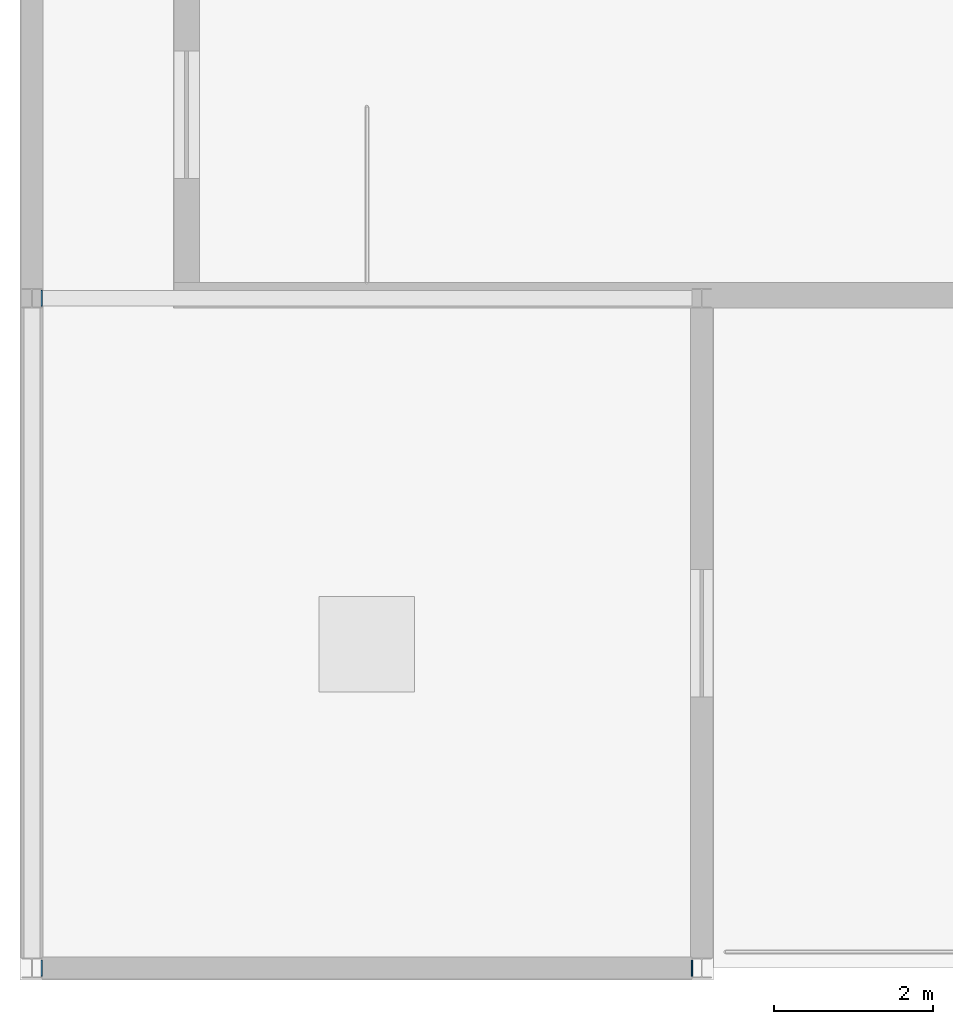
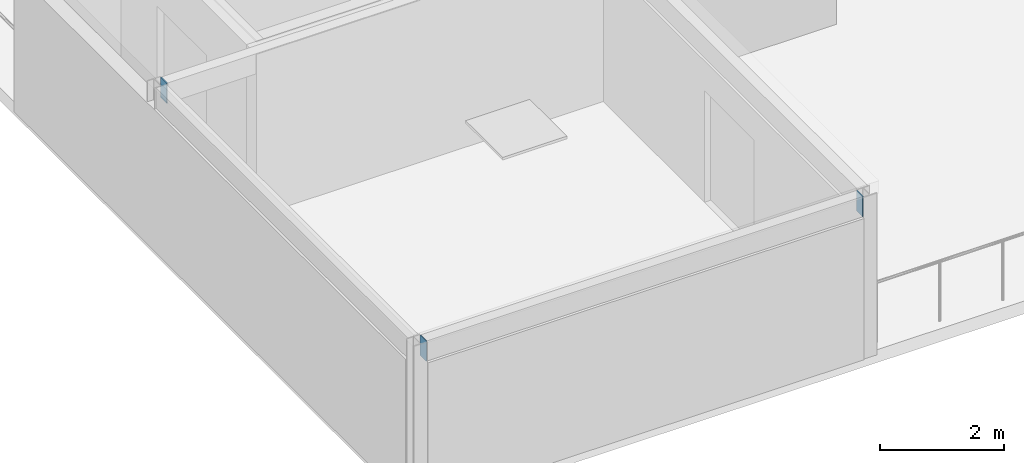
# One storey, part 25 of 40: 3 discrete accessories.
"""IFC4 building model written with IfcOpenShell, lengths in metres."""

import ifcopenshell
import ifcopenshell.guid

model = None  # the IFC model being written
_history = None  # IfcOwnerHistory: only IFC2X3 demands one
_inside = {}  # id of a spatial element -> (the spatial element, [elements in it])
_under = {}  # id of a project, library or spatial element -> (it, [spatial elements below it])
_declared = {}  # id of a project -> (the project, [libraries it declares])
_typed = {}  # id of a type object -> (the type object, [elements of that type])
_made_of = {}  # id of a material, layer set ... -> (it, [elements and type objects made of it])


def new_model(schema):
    """Start an empty IFC model of exactly this schema.

    Asked for "IFC4X3", IfcOpenShell would pick the latest addendum, in which some entities
    have other attributes; the version numbers below select the first issue.
    IFC2X3 requires an IfcOwnerHistory on every rooted entity: one is made here for all.
    """
    global model, _history
    if schema == "IFC4X3":
        model = ifcopenshell.file(schema_version=(4, 3, 0, 0))
    else:
        model = ifcopenshell.file(schema=schema)
    _inside.clear()
    _under.clear()
    _declared.clear()
    _typed.clear()
    _made_of.clear()
    _history = None
    if model.schema == "IFC2X3":
        org = make("IfcOrganization", Name="unknown")
        user = make(
            "IfcPersonAndOrganization",
            ThePerson=make("IfcPerson", FamilyName="unknown"),
            TheOrganization=org,
        )
        app = make(
            "IfcApplication",
            ApplicationDeveloper=org,
            Version="unknown",
            ApplicationFullName="unknown",
            ApplicationIdentifier="unknown",
        )
        _history = make(
            "IfcOwnerHistory",
            OwningUser=user,
            OwningApplication=app,
            ChangeAction="ADDED",
            CreationDate=0,
        )
    return model


def make(cls, **values):
    """One entity of the class cls with the attributes given. An attribute that is None is left unset."""
    return model.create_entity(
        cls, **{name: value for name, value in values.items() if value is not None}
    )


def rooted(cls, **values):
    """An entity with a GlobalId (a new one), such as an element, a storey or a relation."""
    return make(cls, GlobalId=ifcopenshell.guid.new(), OwnerHistory=_history, **values)


def si_unit(unit_type, name, prefix=None):
    """IfcSIUnit, for example si_unit("LENGTHUNIT", "METRE", prefix="MILLI")."""
    return make("IfcSIUnit", UnitType=unit_type, Prefix=prefix, Name=name)


def assignment(units):
    """IfcUnitAssignment: the units of a project."""
    return None if units is None else make("IfcUnitAssignment", Units=units)


def point(xyz):
    """IfcCartesianPoint."""
    return None if xyz is None else make("IfcCartesianPoint", Coordinates=xyz)


def direction(xyz):
    """IfcDirection."""
    return None if xyz is None else make("IfcDirection", DirectionRatios=xyz)


def frame(location, z_axis=None, x_axis=None):
    """IfcAxis2Placement3D, a coordinate frame: its origin and axes. An axis left out is left unset."""
    return make(
        "IfcAxis2Placement3D",
        Location=point(location),
        Axis=direction(z_axis),
        RefDirection=direction(x_axis),
    )


def frame_2d(location, x_axis=None):
    """IfcAxis2Placement2D, a coordinate frame in the plane: its origin and x axis."""
    return make(
        "IfcAxis2Placement2D", Location=point(location), RefDirection=direction(x_axis)
    )


def origin():
    """The frame at (0, 0, 0) with its axes left unset."""
    return frame((0.0, 0.0, 0.0))


def origin_2d():
    """The frame at (0, 0) in the plane with its x axis left unset."""
    return frame_2d((0.0, 0.0))


def place(relative_to, where):
    """IfcLocalPlacement: puts the frame where relative to a parent placement (None: the world)."""
    return make(
        "IfcLocalPlacement", PlacementRelTo=relative_to, RelativePlacement=where
    )


def context(
    kind, dimensions, precision=None, world=None, true_north=None, identifier=None
):
    """IfcGeometricRepresentationContext, for example the 3D "Model" context."""
    return make(
        "IfcGeometricRepresentationContext",
        ContextIdentifier=identifier,
        ContextType=kind,
        CoordinateSpaceDimension=dimensions,
        Precision=precision,
        WorldCoordinateSystem=world,
        TrueNorth=true_north,
    )


def subcontext(parent, identifier, kind, view, scale=None):
    """IfcGeometricRepresentationSubContext, for example "Body" below "Model"."""
    return make(
        "IfcGeometricRepresentationSubContext",
        ContextIdentifier=identifier,
        ContextType=kind,
        ParentContext=parent,
        TargetScale=scale,
        TargetView=view,
    )


def project(units=None, contexts=None):
    """IfcProject with its units and contexts."""
    return rooted(
        "IfcProject",
        Name="project",
        RepresentationContexts=contexts,
        UnitsInContext=assignment(units),
    )


def spatial(cls, under=None, at=None, **own):
    """A site, building, storey or space (cls), placed at a placement, below another one or the project."""
    s = rooted(cls, ObjectPlacement=at, **own)
    if under is not None:
        _under.setdefault(under.id(), (under, []))[1].append(s)
    return s


def profile(cls, at=None, kind="AREA", **sizes):
    """A parametric profile (cls). Its sizes go by their IFC names, for example OverallWidth=200.0."""
    return make(cls, ProfileType=kind, Position=at, **sizes)


def rectangle(**sizes):
    """IfcRectangleProfileDef."""
    return profile("IfcRectangleProfileDef", **sizes)


def extrude(swept, where, along, depth):
    """IfcExtrudedAreaSolid: the profile swept, set in the frame where, extruded along a direction by depth."""
    return make(
        "IfcExtrudedAreaSolid",
        SweptArea=swept,
        Position=where,
        ExtrudedDirection=direction(along),
        Depth=depth,
    )


def shape(context_of_items, identifier, shape_type, items):
    """IfcShapeRepresentation: the items that make up one representation, for example the "Body"."""
    return make(
        "IfcShapeRepresentation",
        ContextOfItems=context_of_items,
        RepresentationIdentifier=identifier,
        RepresentationType=shape_type,
        Items=items,
    )


def material(Name=None, Category=None):
    """IfcMaterial."""
    return make("IfcMaterial", Name=Name, Category=Category)


def made_of(thing, what):
    """Note that an element or type object is made of a material, layer set ...; save() writes the relation."""
    if what is not None:
        _made_of.setdefault(what.id(), (what, []))[1].append(thing)
    return thing


def type_object(cls, material=None, **own):
    """A type object (cls), such as IfcWallType, which elements share."""
    return made_of(rooted(cls, **own), material)


def element(
    cls,
    number,
    at=None,
    inside=None,
    cuts=None,
    type_object=None,
    material=None,
    context=None,
    identifier="Body",
    shape_type=None,
    held_by="IfcProductDefinitionShape",
    body=None,
    shapes=None,
    **own,
):
    """One element of the class cls, such as IfcWall. Its Tag is "e" and its number.

    at: its placement. inside: the storey or other place that contains it. cuts: it is an
    opening in that element (IfcRelVoidsElement). A single representation is given by context,
    identifier, shape_type and body (its items); several are given by shapes. held_by: the class
    of the entity that holds the representations. save() writes the other relations.
    """
    e = rooted(cls, Tag="e%d" % number, ObjectPlacement=at, **own)
    if body is not None:
        shapes = [shape(context, identifier, shape_type, body)]
    if shapes is not None:
        e.Representation = make(held_by, Representations=shapes)
    if inside is not None:
        _inside.setdefault(inside.id(), (inside, []))[1].append(e)
    if cuts is not None:
        rooted(
            "IfcRelVoidsElement", RelatingBuildingElement=cuts, RelatedOpeningElement=e
        )
    if type_object is not None:
        _typed.setdefault(type_object.id(), (type_object, []))[1].append(e)
    return made_of(e, material)


def aggregate(whole, parts):
    """IfcRelAggregates: a whole, such as a stair, and the parts it consists of."""
    return rooted("IfcRelAggregates", RelatingObject=whole, RelatedObjects=parts)


def save(model, path):
    """Write the relations noted so far, then the file.

    IfcRelAggregates (storeys below a building ...), IfcRelContainedInSpatialStructure (elements
    in a storey), IfcRelDefinesByType, IfcRelAssociatesMaterial and IfcRelDeclares: one each for
    every whole, place, type object, material and project.
    """
    for whole, parts in _under.values():
        aggregate(whole, parts)
    for where, things in _inside.values():
        rooted(
            "IfcRelContainedInSpatialStructure",
            RelatedElements=things,
            RelatingStructure=where,
        )
    for kind, things in _typed.values():
        rooted("IfcRelDefinesByType", RelatedObjects=things, RelatingType=kind)
    for what, things in _made_of.values():
        rooted("IfcRelAssociatesMaterial", RelatedObjects=things, RelatingMaterial=what)
    for by, libraries in _declared.values():
        rooted("IfcRelDeclares", RelatingContext=by, RelatedDefinitions=libraries)
    model.write(path)


model = new_model("IFC4")

# Units and contexts
model_context = context("Model", 3, precision=1e-05, world=origin(), true_north=direction((0.0, 1.0)))
body_context = subcontext(model_context, "Body", "Model", "MODEL_VIEW")
ifc_project = project(units=[si_unit("LENGTHUNIT", "METRE"), si_unit("AREAUNIT", "SQUARE_METRE"), si_unit("VOLUMEUNIT", "CUBIC_METRE"), si_unit("PLANEANGLEUNIT", "RADIAN"), si_unit("MASSUNIT", "GRAM", prefix="KILO"), si_unit("THERMODYNAMICTEMPERATUREUNIT", "KELVIN")], contexts=[model_context])

# Site, building, storey
site_placement = place(None, origin())
site = spatial("IfcSite", under=ifc_project, at=site_placement, CompositionType="ELEMENT")
building_placement = place(site_placement, origin())
building = spatial("IfcBuilding", under=site, at=building_placement, Name="Lustrewick Department Store", CompositionType="ELEMENT")
storey_placement = place(building_placement, frame((0.0, 0.0, 31.800048828125)))
storey = spatial("IfcBuildingStorey", under=building, at=storey_placement, Name="L07", CompositionType="ELEMENT", Elevation=31.800048828125)

# Discrete accessories
ifc_material = material(Name="Structural steel Q355C", Category="steel")
discrete_accessory_type = type_object("IfcDiscreteAccessoryType", Name="ECP-01", PredefinedType="USERDEFINED", material=ifc_material)
for number, where, z_axis, x_axis, name in (
    (1, (16.6689453125, 42.0, 3.0), (1.0, 0.0, 0.0), (0.0, 1.0, 0.0), "L07 Welded Hollow-Section End-Cap Plate ECP-01"),
    (2, (8.531005859375, 42.0, 3.0), (-1.0, 0.0, 0.0), (0.0, 1.0, 0.0), "L07 Welded Hollow-Section End-Cap Plate ECP-01"),
    (3, (8.531005859375, 50.39990234375, 3.0), (-1.0, 0.0, 0.0), (0.0, 1.0, 0.0), "L07 Welded Hollow-Section End-Cap Plate ECP-01"),
):
    element("IfcDiscreteAccessory", number, at=place(storey_placement, frame(where, z_axis=z_axis, x_axis=x_axis)), inside=storey, type_object=discrete_accessory_type, Name=name, ObjectType="END_CAP_PLATE", PredefinedType="USERDEFINED", context=body_context, shape_type="SweptSolid", body=[
        extrude(rectangle(XDim=0.199951171875, YDim=0.39990234375, at=origin_2d()), origin(), (0.0, 0.0, 1.0), 0.01611328125),
    ])

save(model, "model.ifc")
